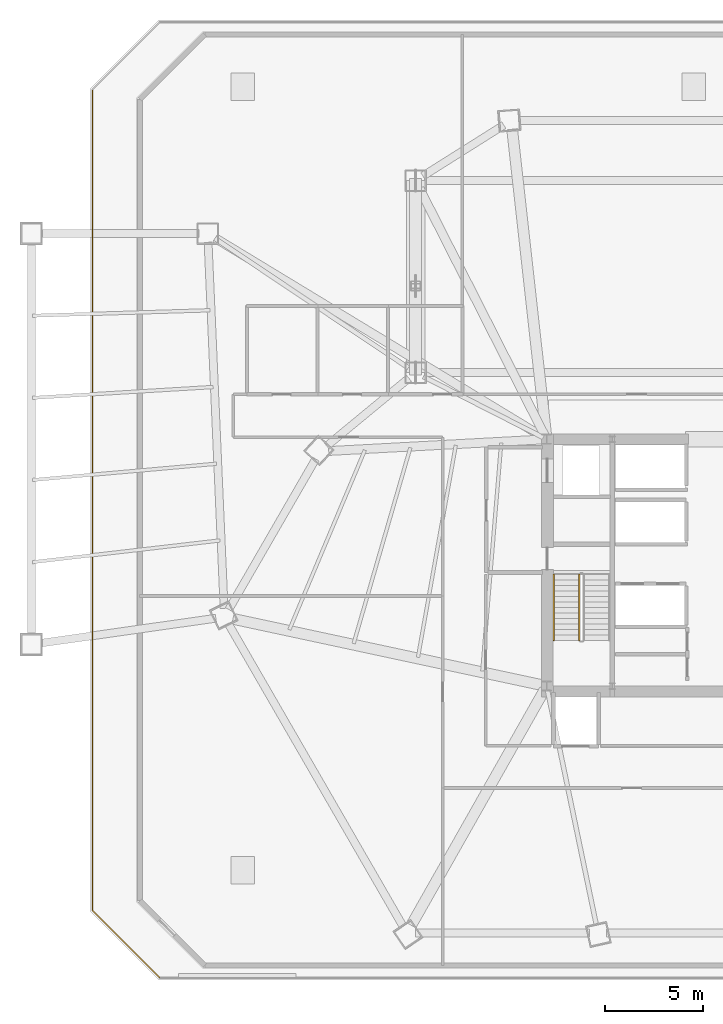
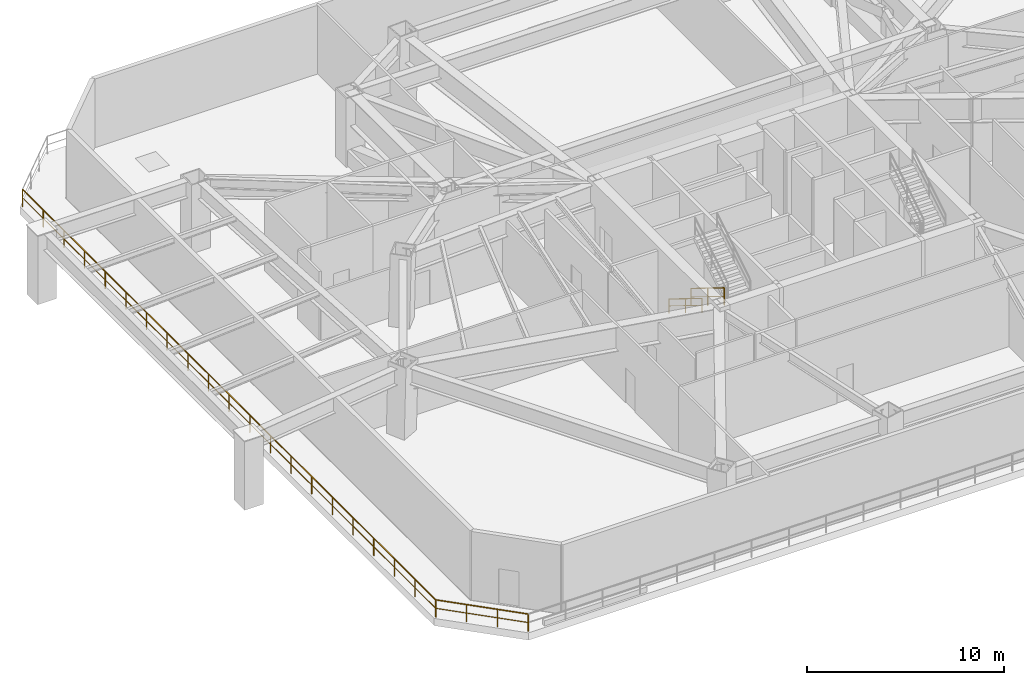
# One storey, part 9 of 13: 4 railings.
"""IFC4 building model written with IfcOpenShell, lengths in metres."""

from ifc_helpers import new_model, si_unit, direction, frame, origin, origin_2d, place, context, subcontext, project, spatial, rectangle, extrude, material, layer, layer_set, type_object, element, save


model = new_model("IFC4")

# Units and contexts
model_context = context("Model", 3, precision=1e-05, world=origin(), true_north=direction((0.0, 1.0)))
body_context = subcontext(model_context, "Body", "Model", "MODEL_VIEW")
ifc_project = project(units=[si_unit("LENGTHUNIT", "METRE"), si_unit("AREAUNIT", "SQUARE_METRE"), si_unit("VOLUMEUNIT", "CUBIC_METRE"), si_unit("PLANEANGLEUNIT", "RADIAN"), si_unit("MASSUNIT", "GRAM", prefix="KILO")], contexts=[model_context])

# Site, building, storey
site_placement = place(None, origin())
site = spatial("IfcSite", under=ifc_project, at=site_placement, CompositionType="ELEMENT")
building_placement = place(site_placement, origin())
building = spatial("IfcBuilding", under=site, at=building_placement, Name="Caelisora Broadcast Tower", CompositionType="ELEMENT")
storey_placement = place(building_placement, frame((0.0, 0.0, 23.10009765625)))
storey = spatial("IfcBuildingStorey", under=building, at=storey_placement, Name="L05", CompositionType="ELEMENT", Elevation=23.10009765625)

# Railings
ifc_material_1 = material(Name="Laminated Glass and Stainless Steel Terrace Balustrade", Category="steel")
ifc_layer_1 = layer(ifc_material_1, 0.048095703125, Name="Laminated Glass and Stainless Steel Terrace Balustrade")
ifc_layer_set_1 = layer_set([ifc_layer_1], Name="Laminated Glass and Stainless Steel Terrace Balustrade")
railing_type_1 = type_object("IfcRailingType", Name="BL-1", PredefinedType="BALUSTRADE", material=ifc_layer_set_1)
railing_1_placement = place(storey_placement, frame((10.75, 2.52001953125, 0.0)))
element("IfcRailing", 1, at=railing_1_placement, inside=storey, type_object=railing_type_1, Name="L05 balustrade BL-1 #01", PredefinedType="BALUSTRADE", context=body_context, shape_type="SweptSolid", body=[
    extrude(rectangle(XDim=0.048095703125, YDim=0.048095703125, at=origin_2d()), frame((0.0, 0.0, 1.076171875), z_axis=(-0.707106781187, 0.707106781187, 0.0), x_axis=(-0.707106781187, -0.707106781187, 0.0)), (0.0, 0.0, 1.0), 4.8505859375),
    extrude(rectangle(XDim=0.03125, YDim=0.03125, at=origin_2d()), frame((0.0, 0.0, 0.550048828125), z_axis=(-0.707106781187, 0.707106781187, 0.0), x_axis=(-0.707106781187, -0.707106781187, 0.0)), (0.0, 0.0, 1.0), 4.8505859375),
    extrude(rectangle(XDim=0.0419921875, YDim=0.0419921875, at=origin_2d()), origin(), (0.0, 0.0, 1.0), 1.052001953125),
    extrude(rectangle(XDim=0.0419921875, YDim=0.0419921875, at=origin_2d()), frame((-1.143310546875, 1.143310546875, 0.0)), (0.0, 0.0, 1.0), 1.052001953125),
    extrude(rectangle(XDim=0.0419921875, YDim=0.0419921875, at=origin_2d()), frame((-2.28662109375, 2.28662109375, 0.0)), (0.0, 0.0, 1.0), 1.052001953125),
    extrude(rectangle(XDim=0.0419921875, YDim=0.0419921875, at=origin_2d()), frame((-3.429931640625, 3.429931640625, 0.0)), (0.0, 0.0, 1.0), 1.052001953125),
])
railing_2_placement = place(storey_placement, frame((7.320068359375, 5.949951171875, 0.0)))
element("IfcRailing", 2, at=railing_2_placement, inside=storey, type_object=railing_type_1, Name="L05 balustrade BL-1 #02", PredefinedType="BALUSTRADE", context=body_context, shape_type="SweptSolid", body=[
    extrude(rectangle(XDim=0.048095703125, YDim=0.048095703125, at=origin_2d()), frame((0.0, 0.0, 1.076171875), z_axis=(0.0, 1.0, 0.0), x_axis=(-1.0, 0.0, 0.0)), (0.0, 0.0, 1.0), 41.900146484375),
    extrude(rectangle(XDim=0.03125, YDim=0.03125, at=origin_2d()), frame((0.0, 0.0, 0.550048828125), z_axis=(0.0, 1.0, 0.0), x_axis=(-1.0, 0.0, 0.0)), (0.0, 0.0, 1.0), 41.900146484375),
    extrude(rectangle(XDim=0.0419921875, YDim=0.0419921875, at=origin_2d()), origin(), (0.0, 0.0, 1.0), 1.052001953125),
    extrude(rectangle(XDim=0.0419921875, YDim=0.0419921875, at=origin_2d()), frame((0.0, 2.094970703125, 0.0)), (0.0, 0.0, 1.0), 1.052001953125),
    extrude(rectangle(XDim=0.0419921875, YDim=0.0419921875, at=origin_2d()), frame((0.0, 4.18994140625, 0.0)), (0.0, 0.0, 1.0), 1.052001953125),
    extrude(rectangle(XDim=0.0419921875, YDim=0.0419921875, at=origin_2d()), frame((0.0, 6.284912109375, 0.0)), (0.0, 0.0, 1.0), 1.052001953125),
    extrude(rectangle(XDim=0.0419921875, YDim=0.0419921875, at=origin_2d()), frame((0.0, 8.380126953125, 0.0)), (0.0, 0.0, 1.0), 1.052001953125),
    extrude(rectangle(XDim=0.0419921875, YDim=0.0419921875, at=origin_2d()), frame((0.0, 10.47509765625, 0.0)), (0.0, 0.0, 1.0), 1.052001953125),
    extrude(rectangle(XDim=0.0419921875, YDim=0.0419921875, at=origin_2d()), frame((0.0, 12.570068359375, 0.0)), (0.0, 0.0, 1.0), 1.052001953125),
    extrude(rectangle(XDim=0.0419921875, YDim=0.0419921875, at=origin_2d()), frame((0.0, 14.6650390625, 0.0)), (0.0, 0.0, 1.0), 1.052001953125),
    extrude(rectangle(XDim=0.0419921875, YDim=0.0419921875, at=origin_2d()), frame((0.0, 16.760009765625, 0.0)), (0.0, 0.0, 1.0), 1.052001953125),
    extrude(rectangle(XDim=0.0419921875, YDim=0.0419921875, at=origin_2d()), frame((0.0, 18.85498046875, 0.0)), (0.0, 0.0, 1.0), 1.052001953125),
    extrude(rectangle(XDim=0.0419921875, YDim=0.0419921875, at=origin_2d()), frame((0.0, 20.9501953125, 0.0)), (0.0, 0.0, 1.0), 1.052001953125),
    extrude(rectangle(XDim=0.0419921875, YDim=0.0419921875, at=origin_2d()), frame((0.0, 23.045166015625, 0.0)), (0.0, 0.0, 1.0), 1.052001953125),
    extrude(rectangle(XDim=0.0419921875, YDim=0.0419921875, at=origin_2d()), frame((0.0, 25.14013671875, 0.0)), (0.0, 0.0, 1.0), 1.052001953125),
    extrude(rectangle(XDim=0.0419921875, YDim=0.0419921875, at=origin_2d()), frame((0.0, 27.235107421875, 0.0)), (0.0, 0.0, 1.0), 1.052001953125),
    extrude(rectangle(XDim=0.0419921875, YDim=0.0419921875, at=origin_2d()), frame((0.0, 29.330078125, 0.0)), (0.0, 0.0, 1.0), 1.052001953125),
    extrude(rectangle(XDim=0.0419921875, YDim=0.0419921875, at=origin_2d()), frame((0.0, 31.425048828125, 0.0)), (0.0, 0.0, 1.0), 1.052001953125),
    extrude(rectangle(XDim=0.0419921875, YDim=0.0419921875, at=origin_2d()), frame((0.0, 33.52001953125, 0.0)), (0.0, 0.0, 1.0), 1.052001953125),
    extrude(rectangle(XDim=0.0419921875, YDim=0.0419921875, at=origin_2d()), frame((0.0, 35.615234375, 0.0)), (0.0, 0.0, 1.0), 1.052001953125),
    extrude(rectangle(XDim=0.0419921875, YDim=0.0419921875, at=origin_2d()), frame((0.0, 37.710205078125, 0.0)), (0.0, 0.0, 1.0), 1.052001953125),
    extrude(rectangle(XDim=0.0419921875, YDim=0.0419921875, at=origin_2d()), frame((0.0, 39.80517578125, 0.0)), (0.0, 0.0, 1.0), 1.052001953125),
    extrude(rectangle(XDim=0.0419921875, YDim=0.0419921875, at=origin_2d()), frame((0.0, 41.900146484375, 0.0)), (0.0, 0.0, 1.0), 1.052001953125),
])
ifc_material_2 = material(Name="Galvanised Steel Safety Guardrail", Category="steel")
ifc_layer_2 = layer(ifc_material_2, 0.048095703125, Name="Galvanised Steel Safety Guardrail")
ifc_layer_set_2 = layer_set([ifc_layer_2], Name="Galvanised Steel Safety Guardrail")
railing_type_2 = type_object("IfcRailingType", Name="GR-1", PredefinedType="GUARDRAIL", material=ifc_layer_set_2)
railing_3_placement = place(storey_placement, frame((32.169921875, 23.10009765625, 0.173095703125)))
element("IfcRailing", 3, at=railing_3_placement, inside=storey, type_object=railing_type_2, Name="L05 ST-1 stair guard 1", PredefinedType="GUARDRAIL", context=body_context, shape_type="SweptSolid", body=[
    extrude(rectangle(XDim=0.048095703125, YDim=0.048095703125, at=origin_2d()), frame((0.0, 0.0, 1.076171875), z_axis=(0.0, -0.850623216509, 0.525775754039), x_axis=(1.0, 0.0, 0.0)), (0.0, 0.0, 1.0), 3.9501953125),
    extrude(rectangle(XDim=0.03125, YDim=0.03125, at=origin_2d()), frame((0.0, 0.0, 0.550048828125), z_axis=(0.0, -0.850623216509, 0.525775754039), x_axis=(1.0, 0.0, 0.0)), (0.0, 0.0, 1.0), 3.9501953125),
    extrude(rectangle(XDim=0.0419921875, YDim=0.0419921875, at=origin_2d()), origin(), (0.0, 0.0, 1.0), 1.052001953125),
    extrude(rectangle(XDim=0.0419921875, YDim=0.0419921875, at=origin_2d()), frame((0.0, -1.68017578125, 1.03857421875)), (0.0, 0.0, 1.0), 1.052001953125),
    extrude(rectangle(XDim=0.0419921875, YDim=0.0419921875, at=origin_2d()), frame((0.0, -3.360107421875, 2.076904296875)), (0.0, 0.0, 1.0), 1.052001953125),
])
ifc_material_3 = material(Name="Stainless Steel Grade 316 Tubular Handrail", Category="steel")
ifc_layer_3 = layer(ifc_material_3, 0.048095703125, Name="Stainless Steel Grade 316 Tubular Handrail")
ifc_layer_set_3 = layer_set([ifc_layer_3], Name="Stainless Steel Grade 316 Tubular Handrail")
railing_type_3 = type_object("IfcRailingType", Name="HR-1", PredefinedType="HANDRAIL", material=ifc_layer_set_3)
railing_4_placement = place(storey_placement, frame((30.8701171875, 23.10009765625, 0.173095703125)))
element("IfcRailing", 4, at=railing_4_placement, inside=storey, type_object=railing_type_3, Name="L05 ST-1 stair handrail 1", PredefinedType="HANDRAIL", context=body_context, shape_type="SweptSolid", body=[
    extrude(rectangle(XDim=0.048095703125, YDim=0.048095703125, at=origin_2d()), frame((0.0, 0.0, 0.8759765625), z_axis=(0.0, -0.850623216509, 0.525775754039), x_axis=(1.0, 0.0, 0.0)), (0.0, 0.0, 1.0), 3.9501953125),
    extrude(rectangle(XDim=0.03125, YDim=0.03125, at=origin_2d()), frame((0.0, 0.0, 0.449951171875), z_axis=(0.0, -0.850623216509, 0.525775754039), x_axis=(1.0, 0.0, 0.0)), (0.0, 0.0, 1.0), 3.9501953125),
    extrude(rectangle(XDim=0.0419921875, YDim=0.0419921875, at=origin_2d()), origin(), (0.0, 0.0, 1.0), 0.851806640625),
    extrude(rectangle(XDim=0.0419921875, YDim=0.0419921875, at=origin_2d()), frame((0.0, -1.68017578125, 1.03857421875)), (0.0, 0.0, 1.0), 0.851806640625),
    extrude(rectangle(XDim=0.0419921875, YDim=0.0419921875, at=origin_2d()), frame((0.0, -3.360107421875, 2.076904296875)), (0.0, 0.0, 1.0), 0.851806640625),
])

save(model, "model.ifc")
